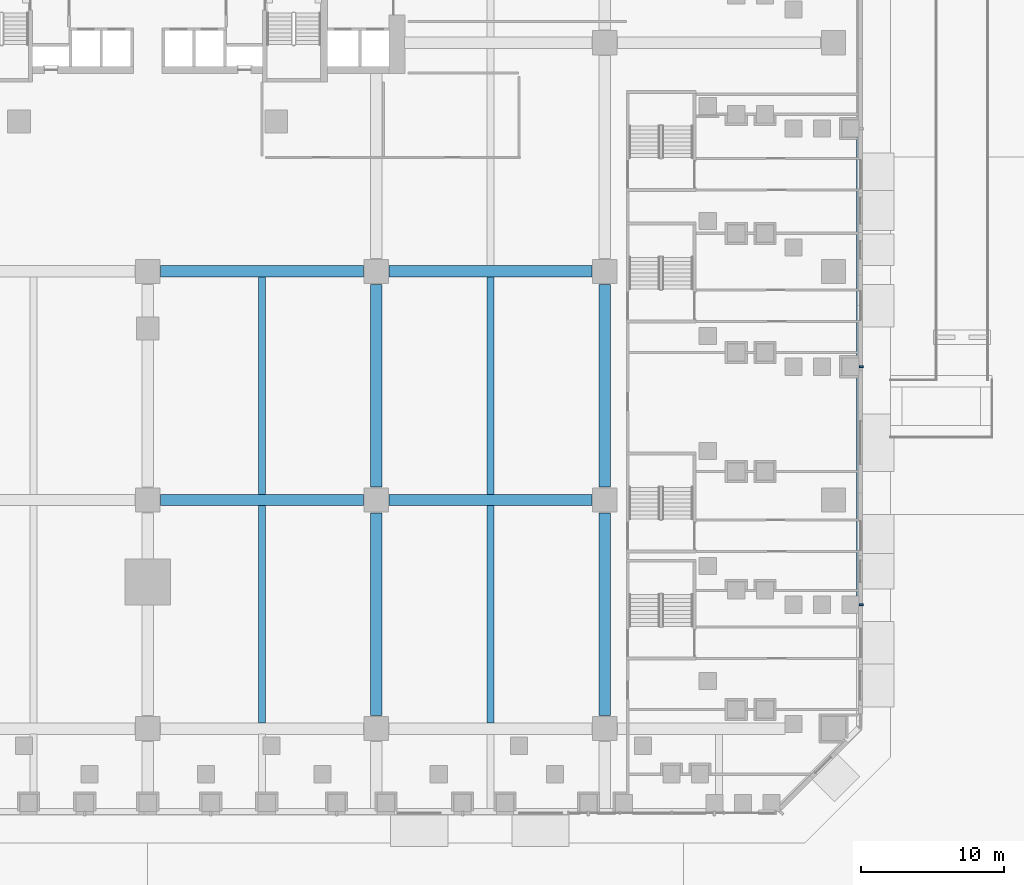
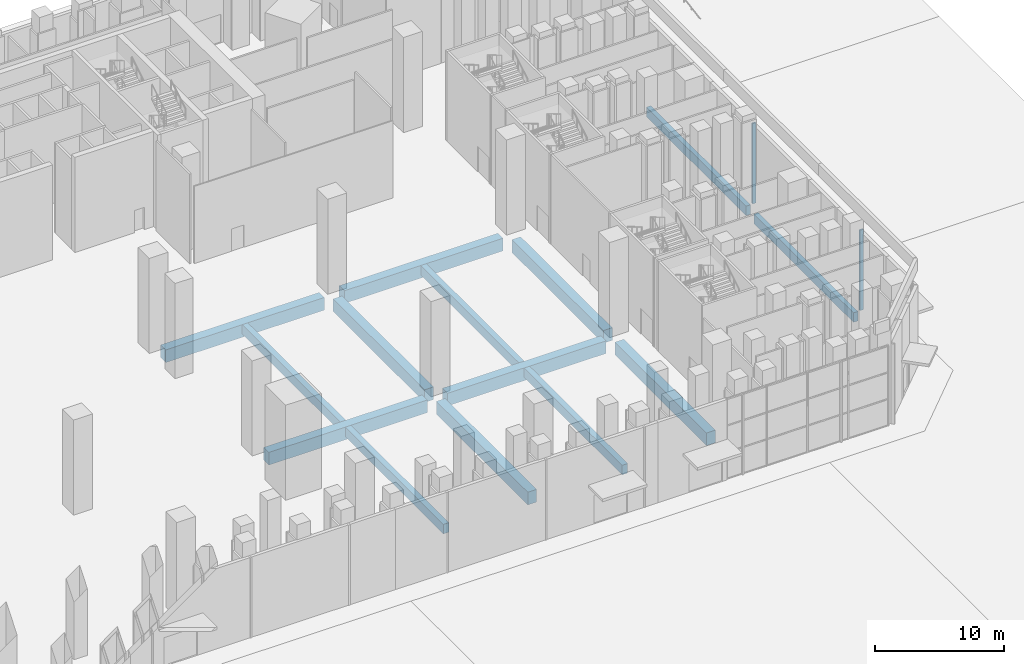
# One storey, part 6 of 51: 14 beams, 2 members.
"""IFC4 building model written with IfcOpenShell, lengths in metres."""

from ifc_helpers import new_model, si_unit, direction, frame, origin, origin_2d, place, context, subcontext, project, spatial, rectangle, extrude, material, material_profile, profile_set, type_object, element, save


model = new_model("IFC4")

# Units and contexts
model_context = context("Model", 3, precision=1e-05, world=origin(), true_north=direction((0.0, 1.0)))
body_context = subcontext(model_context, "Body", "Model", "MODEL_VIEW")
ifc_project = project(units=[si_unit("LENGTHUNIT", "METRE"), si_unit("AREAUNIT", "SQUARE_METRE"), si_unit("VOLUMEUNIT", "CUBIC_METRE"), si_unit("PLANEANGLEUNIT", "RADIAN"), si_unit("MASSUNIT", "GRAM", prefix="KILO")], contexts=[model_context])

# Site, building, storey
site_placement = place(None, origin())
site = spatial("IfcSite", under=ifc_project, at=site_placement, CompositionType="ELEMENT")
building_placement = place(site_placement, origin())
building = spatial("IfcBuilding", under=site, at=building_placement, Name="Calabash Gate Tower", CompositionType="ELEMENT")
storey_placement = place(building_placement, origin())
storey = spatial("IfcBuildingStorey", under=building, at=storey_placement, Name="L00", CompositionType="ELEMENT", Elevation=0.0)

# Beams
ifc_material_1 = material(Name="Concrete C50/60", Category="concrete")
ifc_material_profile_1 = material_profile(ifc_material_1, rectangle(XDim=0.39990234375, YDim=0.89990234375, at=origin_2d()))
ifc_profile_set_1 = profile_set([ifc_material_profile_1], Name="Concrete C50/60")
beam_type_1 = type_object("IfcBeamType", Name="Edge beam RC 400x900 Concrete C50/60", PredefinedType="BEAM", material=ifc_profile_set_1)
beam_1_placement = place(storey_placement, frame((49.800048828125, 1.40087890625, -1.0), z_axis=(0.0, -1.0, 0.0), x_axis=(1.0, 0.0, 0.0)))
element("IfcBeam", 1, at=beam_1_placement, inside=storey, type_object=beam_type_1, Name="Edge beam L00 30", PredefinedType="BEAM", context=body_context, shape_type="SweptSolid", body=[
    extrude(rectangle(XDim=0.39990234375, YDim=0.89990234375, at=origin_2d()), origin(), (0.0, 0.0, 1.0), 15.4677734375),
])
beam_2_placement = place(storey_placement, frame((49.800048828125, -15.26708984375, -1.0), z_axis=(0.0, -1.0, 0.0), x_axis=(1.0, 0.0, 0.0)))
element("IfcBeam", 2, at=beam_2_placement, inside=storey, type_object=beam_type_1, Name="Edge beam L00 31", PredefinedType="BEAM", context=body_context, shape_type="SweptSolid", body=[
    extrude(rectangle(XDim=0.39990234375, YDim=0.89990234375, at=origin_2d()), origin(), (0.0, 0.0, 1.0), 15.4658203125),
])
ifc_material_2 = material(Name="Concrete C50/60", Category="concrete")
ifc_material_profile_2 = material_profile(ifc_material_2, rectangle(XDim=0.5, YDim=0.89990234375, at=origin_2d()))
ifc_profile_set_2 = profile_set([ifc_material_profile_2], Name="Concrete C50/60")
beam_type_2 = type_object("IfcBeamType", Name="Floor beam RC 500x900 Concrete C50/60", PredefinedType="BEAM", material=ifc_profile_set_2)
for number, where, z_axis, x_axis, name in (
    (3, (8.0, -39.60009765625, -1.0), (0.0, 1.0, 0.0), (-1.0, 0.0, 0.0), "Floor beam L00 13"),
    (4, (8.0, -23.60009765625, -1.0), (0.0, 1.0, 0.0), (-1.0, 0.0, 0.0), "Floor beam L00 14"),
    (5, (24.0, -39.60009765625, -1.0), (0.0, 1.0, 0.0), (-1.0, 0.0, 0.0), "Floor beam L00 17"),
    (6, (24.0, -23.60009765625, -1.0), (0.0, 1.0, 0.0), (-1.0, 0.0, 0.0), "Floor beam L00 18"),
):
    element("IfcBeam", number, at=place(storey_placement, frame(where, z_axis=z_axis, x_axis=x_axis)), inside=storey, type_object=beam_type_2, Name=name, PredefinedType="BEAM", context=body_context, shape_type="SweptSolid", body=[
        extrude(rectangle(XDim=0.5, YDim=0.89990234375, at=origin_2d()), origin(), (0.0, 0.0, 1.0), 15.2001953125),
    ])
ifc_material_3 = material(Name="Concrete C50/60", Category="concrete")
ifc_material_profile_3 = material_profile(ifc_material_3, rectangle(XDim=0.800048828125, YDim=1.199951171875, at=origin_2d()))
ifc_profile_set_3 = profile_set([ifc_material_profile_3], Name="Concrete C50/60")
beam_type_3 = type_object("IfcBeamType", Name="Grid girder RC 800x1200 Concrete C50/60", PredefinedType="BEAM", material=ifc_profile_set_3)
for number, where, z_axis, x_axis, name in (
    (7, (16.0, -39.10009765625, -1.14990234375), (0.0, 1.0, 0.0), (-1.0, 0.0, 0.0), "Grid girder L00 19"),
    (8, (16.0, -23.10009765625, -1.14990234375), (0.0, 1.0, 0.0), (-1.0, 0.0, 0.0), "Grid girder L00 20"),
    (9, (32.0, -39.10009765625, -1.14990234375), (0.0, 1.0, 0.0), (-1.0, 0.0, 0.0), "Grid girder L00 24"),
    (10, (32.0, -23.10009765625, -1.14990234375), (0.0, 1.0, 0.0), (-1.0, 0.0, 0.0), "Grid girder L00 25"),
    (11, (0.89990234375, -24.0, -1.14990234375), (1.0, 0.0, 0.0), (0.0, 1.0, 0.0), "Grid girder L00 37"),
    (12, (16.89990234375, -24.0, -1.14990234375), (1.0, 0.0, 0.0), (0.0, 1.0, 0.0), "Grid girder L00 38"),
    (13, (0.89990234375, -8.0, -1.14990234375), (1.0, 0.0, 0.0), (0.0, 1.0, 0.0), "Grid girder L00 41"),
    (14, (16.89990234375, -8.0, -1.14990234375), (1.0, 0.0, 0.0), (0.0, 1.0, 0.0), "Grid girder L00 42"),
):
    element("IfcBeam", number, at=place(storey_placement, frame(where, z_axis=z_axis, x_axis=x_axis)), inside=storey, type_object=beam_type_3, Name=name, PredefinedType="BEAM", context=body_context, shape_type="SweptSolid", body=[
        extrude(rectangle(XDim=0.800048828125, YDim=1.199951171875, at=origin_2d()), origin(), (0.0, 0.0, 1.0), 14.2001953125),
    ])

# Members
ifc_material_4 = material(Name="Terracotta brick masonry, baguette fin", Category="masonry")
ifc_material_profile_4 = material_profile(ifc_material_4, rectangle(XDim=0.139892578125, YDim=0.300048828125, at=origin_2d()))
ifc_profile_set_4 = profile_set([ifc_material_profile_4], Name="Terracotta brick masonry, baguette fin")
member_type = type_object("IfcMemberType", Name="Terracotta baguette 140x300", PredefinedType="USERDEFINED", material=ifc_profile_set_4)
for number, where, z_axis, x_axis, name in (
    (15, (49.949951171875, -31.3330078125, 0.0), (0.0, 0.0, 1.0), (0.0, 1.0, 0.0), "BAGUETTE L00 13"),
    (16, (49.949951171875, -14.6669921875, 0.0), (0.0, 0.0, 1.0), (0.0, 1.0, 0.0), "BAGUETTE L00 14"),
):
    element("IfcMember", number, at=place(storey_placement, frame(where, z_axis=z_axis, x_axis=x_axis)), inside=storey, type_object=member_type, Name=name, ObjectType="BAGUETTE", PredefinedType="USERDEFINED", context=body_context, shape_type="SweptSolid", body=[
        extrude(rectangle(XDim=0.139892578125, YDim=0.300048828125, at=origin_2d()), origin(), (0.0, 0.0, 1.0), 7.60009765625),
    ])

save(model, "model.ifc")
